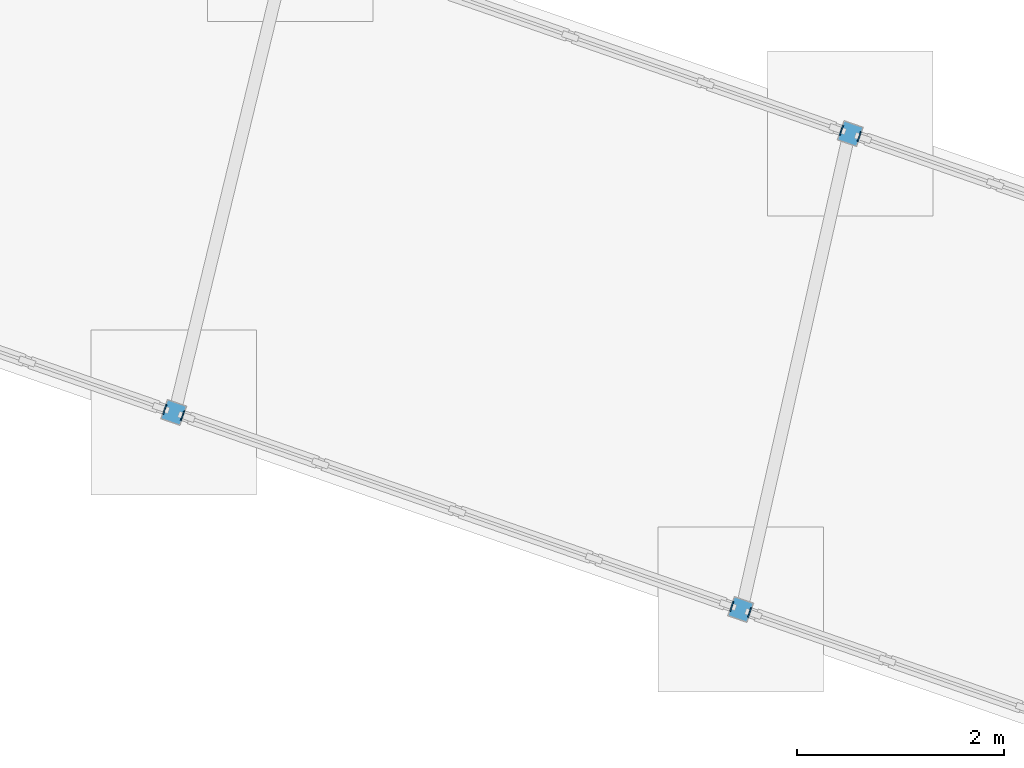
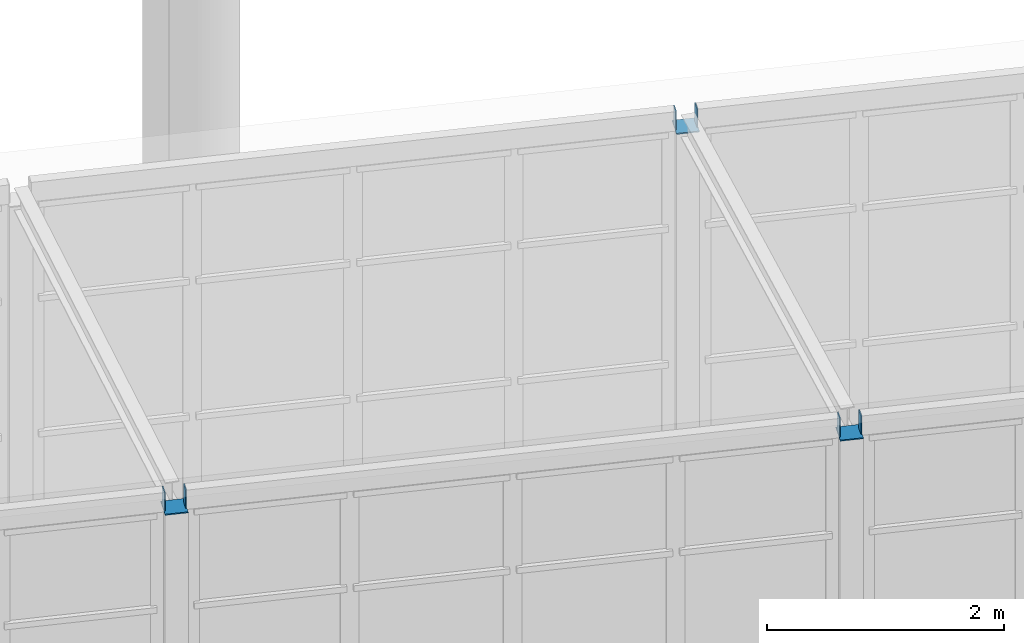
# One storey, part 195 of 226: 9 discrete accessories.
"""IFC4 building model written with IfcOpenShell, lengths in metres."""

from ifc_helpers import new_model, si_unit, direction, frame, origin, origin_2d, place, context, subcontext, project, spatial, rectangle, extrude, material, material_profile, profile_set, type_object, element, save


model = new_model("IFC4")

# Units and contexts
model_context = context("Model", 3, precision=1e-05, world=origin(), true_north=direction((0.0, 1.0)))
body_context = subcontext(model_context, "Body", "Model", "MODEL_VIEW")
ifc_project = project(units=[si_unit("LENGTHUNIT", "METRE"), si_unit("AREAUNIT", "SQUARE_METRE"), si_unit("VOLUMEUNIT", "CUBIC_METRE"), si_unit("PLANEANGLEUNIT", "RADIAN"), si_unit("MASSUNIT", "GRAM", prefix="KILO")], contexts=[model_context])

# Site, building, storey
site_placement = place(None, origin())
site = spatial("IfcSite", under=ifc_project, at=site_placement, CompositionType="ELEMENT")
building_placement = place(site_placement, origin())
building = spatial("IfcBuilding", under=site, at=building_placement, Name="Ceibo Conservatory and Research Tower", CompositionType="ELEMENT")
storey_placement = place(building_placement, origin())
storey = spatial("IfcBuildingStorey", under=building, at=storey_placement, Name="L00", CompositionType="ELEMENT", Elevation=0.0)

# Discrete accessories
ifc_material = material(Name="Steel S355J2", Category="steel")
ifc_material_profile_1 = material_profile(ifc_material, rectangle(XDim=0.10009765625, YDim=0.199951171875, at=origin_2d()), Name="End plate PL 200x100x8")
ifc_profile_set_1 = profile_set([ifc_material_profile_1], Name="Steel S355J2")
discrete_accessory_type_1 = type_object("IfcDiscreteAccessoryType", Name="End plate PL 200x100x8", PredefinedType="USERDEFINED", material=ifc_profile_set_1)
for number, where, z_axis, x_axis, name in (
    (1, (131.574951171875, 47.429931640625, 3.89990234375), (0.941194670762, -0.337864753607, 0.0), (0.337864753607, 0.941194670762, 0.0), "Gallery edge beam AUD-VC-EBN12 end plate"),
    (2, (131.748779296875, 47.369384765625, 3.89990234375), (0.948683298051, -0.316227766017, 0.0), (0.316227766017, 0.948683298051, 0.0), "Gallery edge beam AUD-VC-EBN13 end plate"),
    (3, (125.025634765625, 44.730224609375, 3.89990234375), (0.948683298051, -0.316227766017, 0.0), (0.316227766017, 0.948683298051, 0.0), "Gallery edge beam AUD-VC-EBS11 end plate"),
):
    element("IfcDiscreteAccessory", number, at=place(storey_placement, frame(where, z_axis=z_axis, x_axis=x_axis)), inside=storey, type_object=discrete_accessory_type_1, Name=name, ObjectType="End plate", PredefinedType="USERDEFINED", context=body_context, shape_type="SweptSolid", body=[
        extrude(rectangle(XDim=0.10009765625, YDim=0.199951171875, at=origin_2d()), origin(), (0.0, 0.0, 1.0), 0.010009765625),
    ])
discrete_accessory_placement = place(storey_placement, frame((125.199462890625, 44.669921875, 3.89990234375), z_axis=(0.938343116817, -0.345705358827, 0.0), x_axis=(0.345705358827, 0.938343116817, 0.0)))
element("IfcDiscreteAccessory", 4, at=discrete_accessory_placement, inside=storey, type_object=discrete_accessory_type_1, Name="Gallery edge beam AUD-VC-EBS12 end plate", ObjectType="End plate", PredefinedType="USERDEFINED", context=body_context, shape_type="SweptSolid", body=[
    extrude(rectangle(XDim=0.10009765625, YDim=0.199951171875, at=origin_2d()), origin(), (0.0, 0.0, 1.0), 0.009765625),
])
for number, where, z_axis, x_axis, name in (
    (5, (130.513916015625, 42.82275390625, 3.89990234375), (0.948683298051, -0.316227766017, 0.0), (0.316227766017, 0.948683298051, 0.0), "Gallery edge beam AUD-VC-EBS12 end plate"),
    (6, (130.687744140625, 42.762451171875, 3.89990234375), (0.948683298051, -0.316227766017, 0.0), (0.316227766017, 0.948683298051, 0.0), "Gallery edge beam AUD-VC-EBS13 end plate"),
):
    element("IfcDiscreteAccessory", number, at=place(storey_placement, frame(where, z_axis=z_axis, x_axis=x_axis)), inside=storey, type_object=discrete_accessory_type_1, Name=name, ObjectType="End plate", PredefinedType="USERDEFINED", context=body_context, shape_type="SweptSolid", body=[
        extrude(rectangle(XDim=0.10009765625, YDim=0.199951171875, at=origin_2d()), origin(), (0.0, 0.0, 1.0), 0.010009765625),
    ])
ifc_material_profile_2 = material_profile(ifc_material, rectangle(XDim=0.199951171875, YDim=0.199951171875, at=origin_2d()), Name="End plate PL 200x200x10")
ifc_profile_set_2 = profile_set([ifc_material_profile_2], Name="Steel S355J2")
discrete_accessory_type_2 = type_object("IfcDiscreteAccessoryType", Name="End plate PL 200x200x10", PredefinedType="USERDEFINED", material=ifc_profile_set_2)
for number, where, z_axis, x_axis, name in (
    (7, (131.666748046875, 47.39794921875, 3.798095703125), (0.0, 0.0, 1.0), (0.944579236191, -0.328283515513, 0.0), "Gallery column AUD-VC-CN12 end plate"),
    (8, (125.1171875, 44.698486328125, 3.798095703125), (0.0, 0.0, 1.0), (0.944579236191, -0.328283515513, 0.0), "Gallery column AUD-VC-CS11 end plate"),
    (9, (130.60546875, 42.791015625, 3.798095703125), (0.0, 0.0, 1.0), (0.944579236191, -0.328283515513, 0.0), "Gallery column AUD-VC-CS12 end plate"),
):
    element("IfcDiscreteAccessory", number, at=place(storey_placement, frame(where, z_axis=z_axis, x_axis=x_axis)), inside=storey, type_object=discrete_accessory_type_2, Name=name, ObjectType="End plate", PredefinedType="USERDEFINED", context=body_context, shape_type="SweptSolid", body=[
        extrude(rectangle(XDim=0.199951171875, YDim=0.199951171875, at=origin_2d()), origin(), (0.0, 0.0, 1.0), 0.011962890625),
    ])

save(model, "model.ifc")
